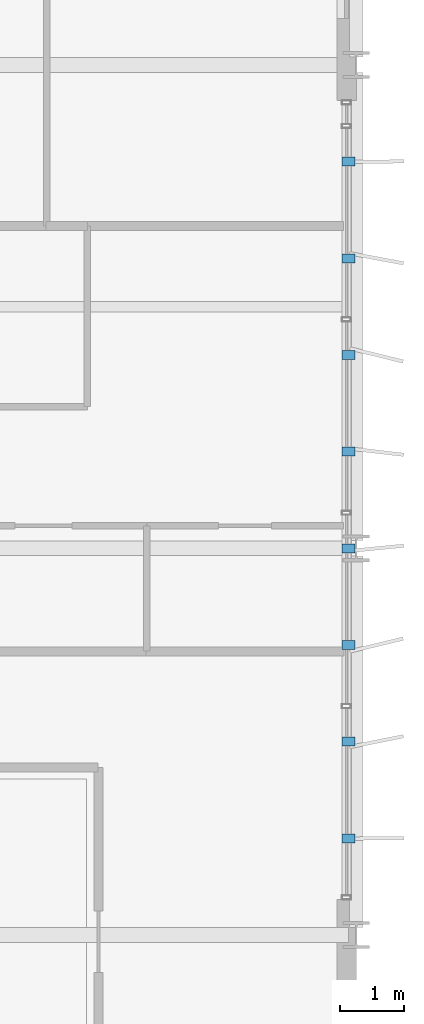
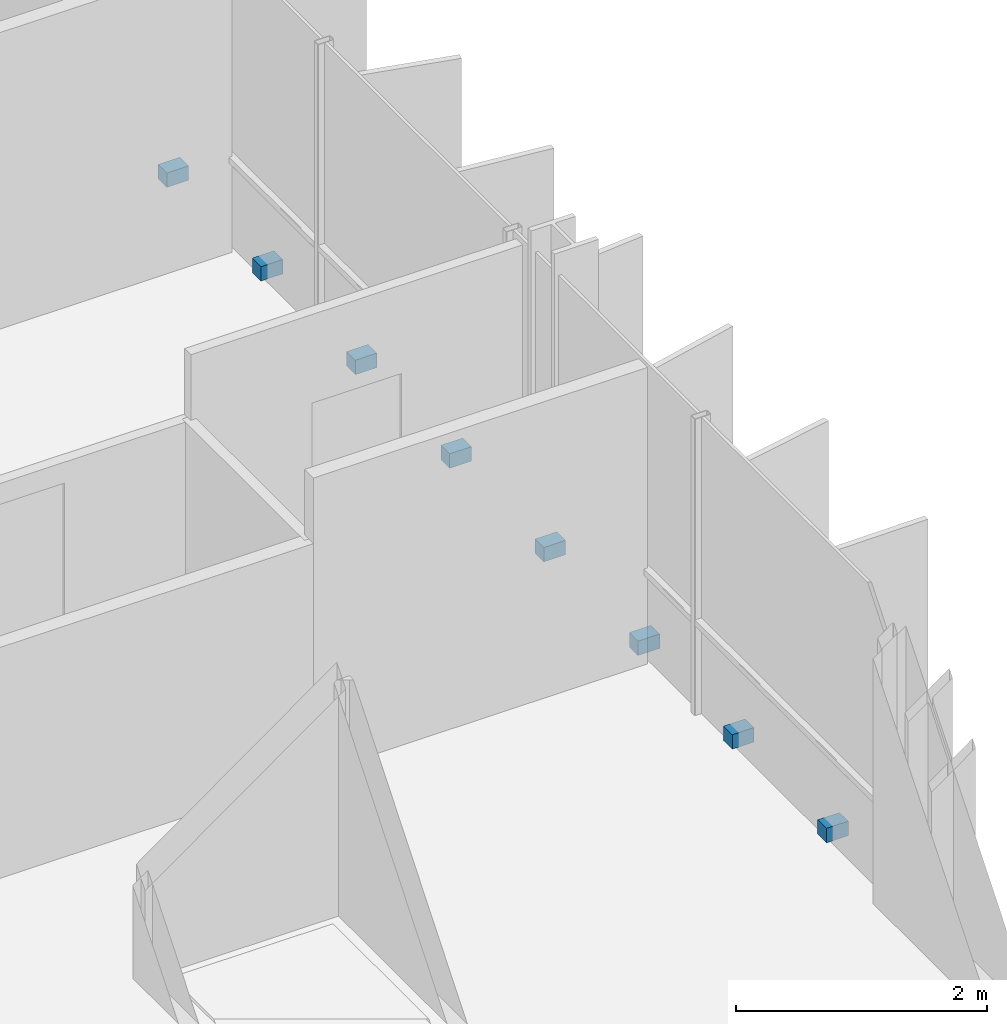
# One storey, part 36 of 40: 8 discrete accessories.
"""IFC4 building model written with IfcOpenShell, lengths in metres."""

from ifc_helpers import new_model, si_unit, direction, frame, origin, origin_2d, place, context, subcontext, project, spatial, rectangle, extrude, material, type_object, element, save


model = new_model("IFC4")

# Units and contexts
model_context = context("Model", 3, precision=1e-05, world=origin(), true_north=direction((0.0, 1.0)))
body_context = subcontext(model_context, "Body", "Model", "MODEL_VIEW")
ifc_project = project(units=[si_unit("LENGTHUNIT", "METRE"), si_unit("AREAUNIT", "SQUARE_METRE"), si_unit("VOLUMEUNIT", "CUBIC_METRE"), si_unit("PLANEANGLEUNIT", "RADIAN"), si_unit("MASSUNIT", "GRAM", prefix="KILO")], contexts=[model_context])

# Site, building, storey
site_placement = place(None, origin())
site = spatial("IfcSite", under=ifc_project, at=site_placement, CompositionType="ELEMENT")
building_placement = place(site_placement, origin())
building = spatial("IfcBuilding", under=site, at=building_placement, Name="Brevholm Reach", CompositionType="ELEMENT")
storey_placement = place(building_placement, frame((0.0, 0.0, 148.0)))
storey = spatial("IfcBuildingStorey", under=building, at=storey_placement, Name="L44", CompositionType="ELEMENT", Elevation=148.0)

# Discrete accessories
ifc_material = material(Name="Duplex Stainless Steel EN 1.4462", Category="steel")
discrete_accessory_type = type_object("IfcDiscreteAccessoryType", Name="ACC-BRK-01", PredefinedType="BRACKET", material=ifc_material)
for number, where, z_axis, x_axis, name in (
    (1, (59.8798828125, 11.5, 0.0302734375), (0.0, 0.0, 1.0), (1.0, 0.0, 0.0), "L44 Solar Screen Support Bracket 1"),
    (2, (59.8798828125, 13.0, 0.0302734375), (0.0, 0.0, 1.0), (1.0, 0.0, 0.0), "L44 Solar Screen Support Bracket 2"),
    (3, (59.8798828125, 14.5, 0.0302734375), (0.0, 0.0, 1.0), (1.0, 0.0, 0.0), "L44 Solar Screen Support Bracket 3"),
    (4, (59.8798828125, 16.0, 0.0302734375), (0.0, 0.0, 1.0), (1.0, 0.0, 0.0), "L44 Solar Screen Support Bracket 4"),
    (5, (59.8798828125, 17.5, 0.0302734375), (0.0, 0.0, 1.0), (1.0, 0.0, 0.0), "L44 Solar Screen Support Bracket 5"),
    (6, (59.8798828125, 19.0, 0.0302734375), (0.0, 0.0, 1.0), (1.0, 0.0, 0.0), "L44 Solar Screen Support Bracket 6"),
    (7, (59.8798828125, 20.5, 0.0302734375), (0.0, 0.0, 1.0), (1.0, 0.0, 0.0), "L44 Solar Screen Support Bracket 7"),
    (8, (59.8798828125, 22.0, 0.0302734375), (0.0, 0.0, 1.0), (1.0, 0.0, 0.0), "L44 Solar Screen Support Bracket 8"),
):
    element("IfcDiscreteAccessory", number, at=place(storey_placement, frame(where, z_axis=z_axis, x_axis=x_axis)), inside=storey, type_object=discrete_accessory_type, Name=name, PredefinedType="BRACKET", context=body_context, shape_type="SweptSolid", body=[
        extrude(rectangle(XDim=0.199951171875, YDim=0.139892578125, at=origin_2d()), origin(), (0.0, 0.0, 1.0), 0.139892578125),
    ])

save(model, "model.ifc")
